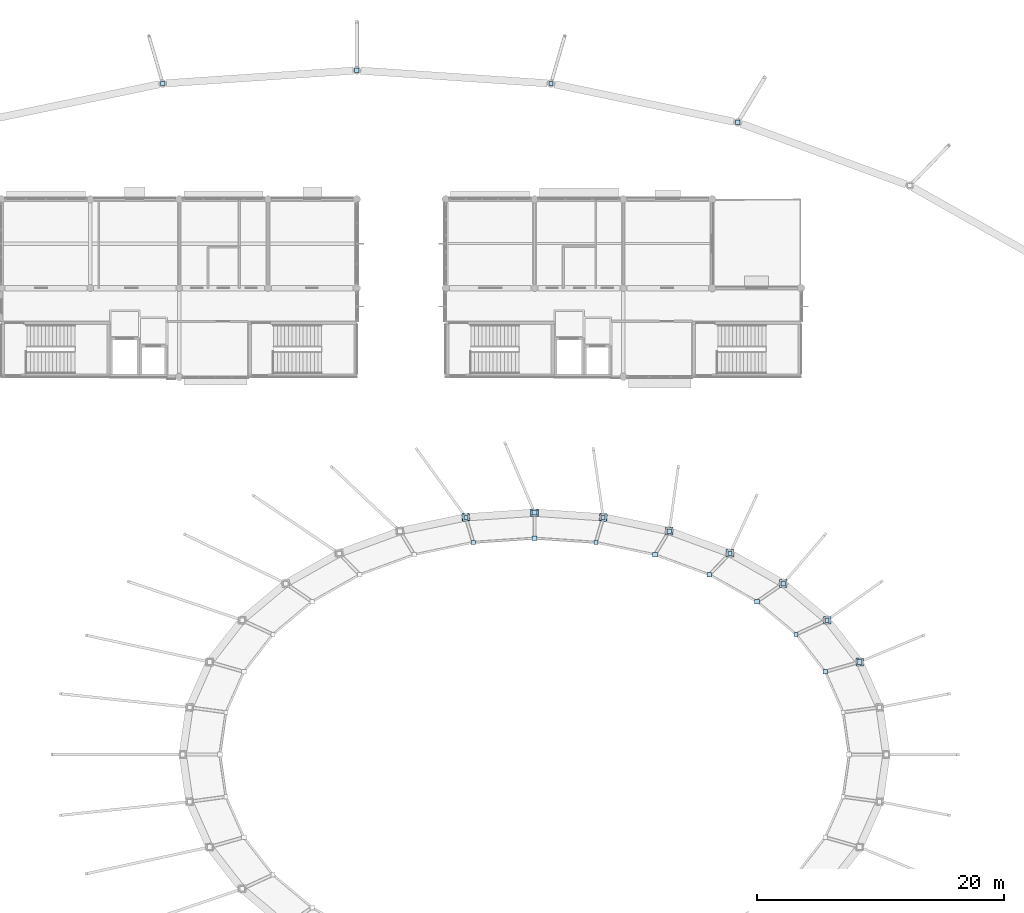
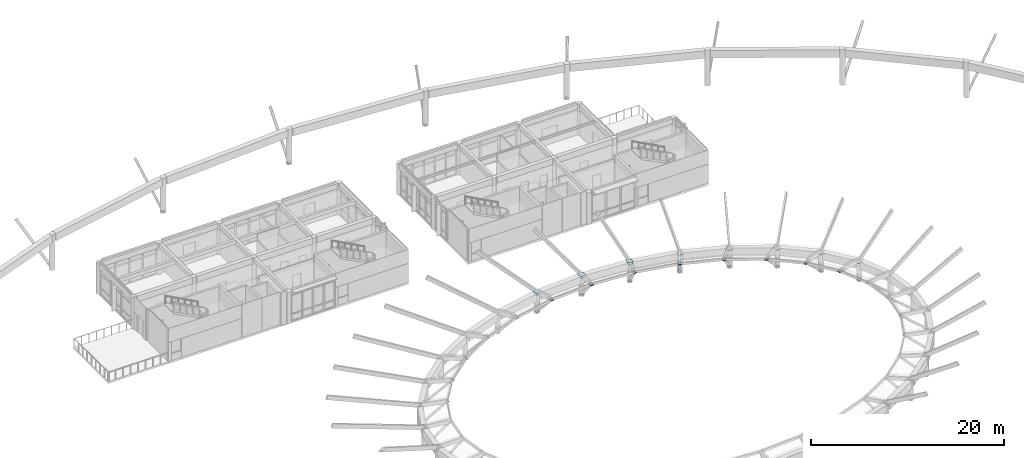
# One storey, part 21 of 37: 31 plates.
"""IFC4 building model written with IfcOpenShell, lengths in metres."""

from ifc_helpers import new_model, si_unit, direction, frame, origin, origin_2d, place, context, subcontext, project, spatial, rectangle, extrude, material, layer, layer_set, type_object, element, save


model = new_model("IFC4")

# Units and contexts
model_context = context("Model", 3, precision=1e-05, world=origin(), true_north=direction((0.0, 1.0)))
body_context = subcontext(model_context, "Body", "Model", "MODEL_VIEW")
ifc_project = project(units=[si_unit("LENGTHUNIT", "METRE"), si_unit("AREAUNIT", "SQUARE_METRE"), si_unit("VOLUMEUNIT", "CUBIC_METRE"), si_unit("PLANEANGLEUNIT", "RADIAN"), si_unit("MASSUNIT", "GRAM", prefix="KILO")], contexts=[model_context])

# Site, building, storey
site_placement = place(None, origin())
site = spatial("IfcSite", under=ifc_project, at=site_placement, CompositionType="ELEMENT")
building_placement = place(site_placement, origin())
building = spatial("IfcBuilding", under=site, at=building_placement, Name="Namkhue Oval Health Centre", CompositionType="ELEMENT")
storey_placement = place(building_placement, frame((0.0, 0.0, 22.199951171875)))
storey = spatial("IfcBuildingStorey", under=building, at=storey_placement, Name="L05", CompositionType="ELEMENT", Elevation=22.199951171875)

# Plates
ifc_material = material(Name="Structural steel EN 10025-2 S355JR (TCVN 5575:2024)", Category="steel")
ifc_layer_1 = layer(ifc_material, 0.02392578125)
ifc_layer_set_1 = layer_set([ifc_layer_1], Name="Structural steel EN 10025-2 S355JR (TCVN 5575:2024)")
plate_type_1 = type_object("IfcPlateType", Name="BASE SPLICE PLATE 620X620X24", PredefinedType="USERDEFINED", material=ifc_layer_set_1)
for number, where, z_axis, x_axis, name in (
    (1, (127.1416015625, 66.9013671875, 2.34814453125), (0.0, 0.0, 1.0), (1.0, 0.0, 0.0), "Gridshell IR Ring Bearing Plate 3"),
    (2, (124.5068359375, 70.290283203125, 2.34814453125), (0.0, 0.0, 1.0), (1.0, 0.0, 0.0), "Gridshell IR Ring Bearing Plate 4"),
    (3, (120.9609375, 73.2607421875, 2.34814453125), (0.0, 0.0, 1.0), (1.0, 0.0, 0.0), "Gridshell IR Ring Bearing Plate 5"),
    (4, (116.640380859375, 75.698486328125, 2.34814453125), (0.0, 0.0, 1.0), (1.0, 0.0, 0.0), "Gridshell IR Ring Bearing Plate 6"),
    (5, (111.711181640625, 77.509765625, 2.34814453125), (0.0, 0.0, 1.0), (1.0, 0.0, 0.0), "Gridshell IR Ring Bearing Plate 7"),
    (6, (106.3623046875, 78.625244140625, 2.34814453125), (0.0, 0.0, 1.0), (1.0, 0.0, 0.0), "Gridshell IR Ring Bearing Plate 8"),
    (7, (100.800048828125, 79.001953125, 2.34814453125), (0.0, 0.0, 1.0), (1.0, 0.0, 0.0), "Gridshell IR Ring Bearing Plate 9"),
    (8, (95.237548828125, 78.625244140625, 2.34814453125), (0.0, 0.0, 1.0), (1.0, 0.0, 0.0), "Gridshell IR Ring Bearing Plate 10"),
):
    element("IfcPlate", number, at=place(storey_placement, frame(where, z_axis=z_axis, x_axis=x_axis)), inside=storey, type_object=plate_type_1, Name=name, ObjectType="BASE_PLATE", PredefinedType="USERDEFINED", context=body_context, shape_type="SweptSolid", body=[
        extrude(rectangle(XDim=0.6201171875, YDim=0.6201171875, at=origin_2d()), origin(), (0.0, 0.0, 1.0), 0.02392578125),
    ])
ifc_layer_2 = layer(ifc_material, 0.02490234375)
ifc_layer_set_2 = layer_set([ifc_layer_2], Name="Structural steel EN 10025-2 S355JR (TCVN 5575:2024)")
plate_type_2 = type_object("IfcPlateType", Name="GRIDSHELL GUSSET PLATE 600X600X25", PredefinedType="USERDEFINED", material=ifc_layer_set_2)
for number, where, z_axis, x_axis, name in (
    (9, (106.3623046875, 78.625244140625, 2.607666015625), (0.0, 0.0, 1.0), (0.195090322016, 0.980785280403, 0.0), "Gridshell Node Gusset Plate K6-8"),
    (10, (100.800048828125, 79.001953125, 2.607666015625), (0.0, 0.0, 1.0), (0.0, 1.0, 0.0), "Gridshell Node Gusset Plate K6-9"),
    (11, (95.237548828125, 78.625244140625, 2.607666015625), (0.0, 0.0, 1.0), (-0.195090322016, 0.980785280403, 0.0), "Gridshell Node Gusset Plate K6-10"),
):
    element("IfcPlate", number, at=place(storey_placement, frame(where, z_axis=z_axis, x_axis=x_axis)), inside=storey, type_object=plate_type_2, Name=name, ObjectType="GUSSET_PLATE", PredefinedType="USERDEFINED", context=body_context, shape_type="SweptSolid", body=[
        extrude(rectangle(XDim=0.60009765625, YDim=0.60009765625, at=origin_2d()), origin(), (0.0, 0.0, 1.0), 0.02490234375),
    ])
ifc_layer_3 = layer(ifc_material, 0.02001953125)
ifc_layer_set_3 = layer_set([ifc_layer_3], Name="Structural steel EN 10025-2 S355JR (TCVN 5575:2024)")
plate_type_3 = type_object("IfcPlateType", Name="STEEL END CAP PLATE 340X340X20", PredefinedType="USERDEFINED", material=ifc_layer_set_3)
for number, where, z_axis, x_axis, name in (
    (12, (102.1357421875, 113.787109375, 0.09033203125), (0.0, 0.0, 1.0), (1.0, 0.0, 0.0), "Outer Eaves Strut Lower Collar Plate 8"),
    (13, (70.664306640625, 113.787109375, 0.09033203125), (0.0, 0.0, 1.0), (1.0, 0.0, 0.0), "Outer Eaves Strut Lower Collar Plate 10"),
    (14, (124.493408203125, 70.2841796875, 0.088623046875), (0.0, 0.0, 1.0), (1.0, 0.0, 0.0), "Oval Court Oculus Strut Lower Collar Plate 4"),
    (15, (121.992431640625, 69.13525390625, 2.594970703125), (0.0, 0.0, 1.0), (1.0, 0.0, 0.0), "Oval Court Oculus Strut Cap Plate 4"),
    (16, (116.630859375, 75.688720703125, 0.089599609375), (0.0, 0.0, 1.0), (1.0, 0.0, 0.0), "Oval Court Oculus Strut Lower Collar Plate 6"),
    (17, (114.96044921875, 73.9697265625, 2.594970703125), (0.0, 0.0, 1.0), (1.0, 0.0, 0.0), "Oval Court Oculus Strut Cap Plate 6"),
    (18, (106.35888671875, 78.613037109375, 0.09033203125), (0.0, 0.0, 1.0), (1.0, 0.0, 0.0), "Oval Court Oculus Strut Lower Collar Plate 8"),
    (19, (105.7724609375, 76.586181640625, 2.594970703125), (0.0, 0.0, 1.0), (1.0, 0.0, 0.0), "Oval Court Oculus Strut Cap Plate 8"),
    (20, (95.2412109375, 78.613037109375, 0.09033203125), (0.0, 0.0, 1.0), (1.0, 0.0, 0.0), "Oval Court Oculus Strut Lower Collar Plate 10"),
    (21, (95.82763671875, 76.586181640625, 2.594970703125), (0.0, 0.0, 1.0), (1.0, 0.0, 0.0), "Oval Court Oculus Strut Cap Plate 10"),
):
    element("IfcPlate", number, at=place(storey_placement, frame(where, z_axis=z_axis, x_axis=x_axis)), inside=storey, type_object=plate_type_3, Name=name, ObjectType="BASE_PLATE", PredefinedType="USERDEFINED", context=body_context, shape_type="SweptSolid", body=[
        extrude(rectangle(XDim=0.340087890625, YDim=0.340087890625, at=origin_2d()), origin(), (0.0, 0.0, 1.0), 0.02001953125),
    ])
ifc_layer_4 = layer(ifc_material, 0.02197265625)
ifc_layer_set_4 = layer_set([ifc_layer_4], Name="Structural steel EN 10025-2 S355JR (TCVN 5575:2024)")
plate_type_4 = type_object("IfcPlateType", Name="STEEL END CAP PLATE 380X380X22", PredefinedType="USERDEFINED", material=ifc_layer_set_4)
for number, where, z_axis, x_axis, name in (
    (22, (117.2666015625, 110.63134765625, 0.0888671875), (0.0, 0.0, 1.0), (1.0, 0.0, 0.0), "Outer Eaves Strut Lower Collar Plate 7"),
    (23, (86.39990234375, 114.852783203125, 0.08935546875), (0.0, 0.0, 1.0), (1.0, 0.0, 0.0), "Outer Eaves Strut Lower Collar Plate 9"),
    (24, (127.127197265625, 66.897216796875, 0.087158203125), (0.0, 0.0, 1.0), (1.0, 0.0, 0.0), "Oval Court Oculus Strut Lower Collar Plate 3"),
    (25, (124.347900390625, 66.105712890625, 2.593994140625), (0.0, 0.0, 1.0), (1.0, 0.0, 0.0), "Oval Court Oculus Strut Cap Plate 3"),
    (26, (120.94921875, 73.252685546875, 0.087890625), (0.0, 0.0, 1.0), (1.0, 0.0, 0.0), "Oval Court Oculus Strut Lower Collar Plate 5"),
    (27, (118.82275390625, 71.79052734375, 2.593994140625), (0.0, 0.0, 1.0), (1.0, 0.0, 0.0), "Oval Court Oculus Strut Cap Plate 5"),
    (28, (111.7041015625, 77.49853515625, 0.0888671875), (0.0, 0.0, 1.0), (1.0, 0.0, 0.0), "Oval Court Oculus Strut Lower Collar Plate 7"),
    (29, (110.553955078125, 75.589111328125, 2.593994140625), (0.0, 0.0, 1.0), (1.0, 0.0, 0.0), "Oval Court Oculus Strut Cap Plate 7"),
    (30, (100.800048828125, 78.9892578125, 0.08935546875), (0.0, 0.0, 1.0), (1.0, 0.0, 0.0), "Oval Court Oculus Strut Lower Collar Plate 9"),
    (31, (100.800048828125, 76.923095703125, 2.593994140625), (0.0, 0.0, 1.0), (1.0, 0.0, 0.0), "Oval Court Oculus Strut Cap Plate 9"),
):
    element("IfcPlate", number, at=place(storey_placement, frame(where, z_axis=z_axis, x_axis=x_axis)), inside=storey, type_object=plate_type_4, Name=name, ObjectType="BASE_PLATE", PredefinedType="USERDEFINED", context=body_context, shape_type="SweptSolid", body=[
        extrude(rectangle(XDim=0.3798828125, YDim=0.3798828125, at=origin_2d()), origin(), (0.0, 0.0, 1.0), 0.02197265625),
    ])

save(model, "model.ifc")
